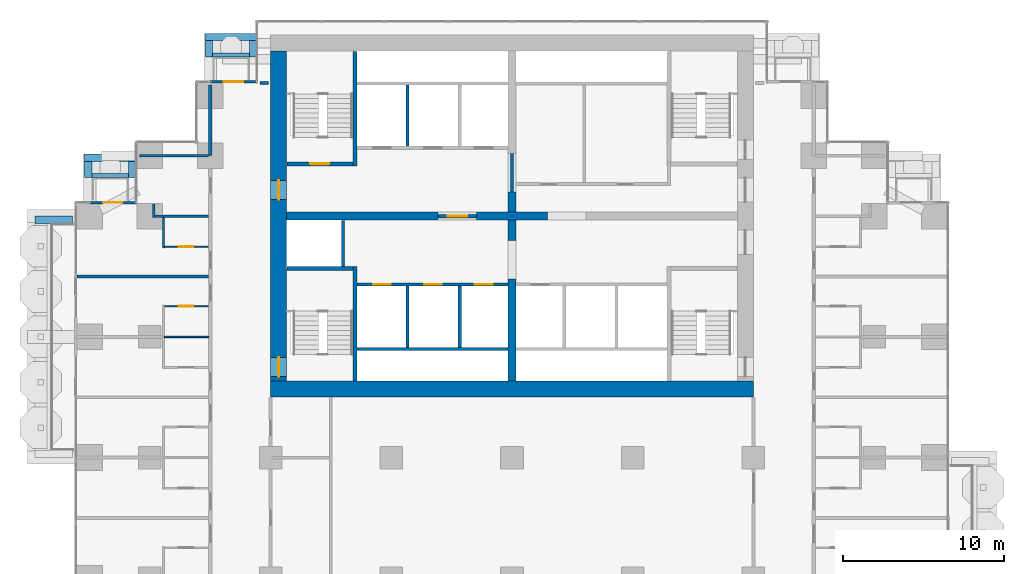
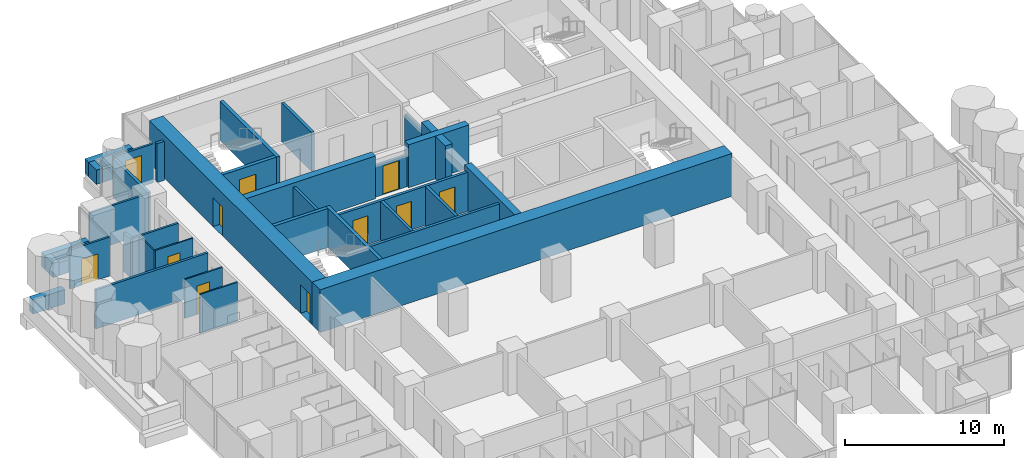
# One storey, part 13 of 18: 40 walls, 11 doors, 11 openings.
"""IFC4 building model written with IfcOpenShell, lengths in metres."""

from ifc_helpers import new_model, si_unit, direction, frame, frame_2d, origin, place, context, subcontext, project, spatial, rectangle, extrude, material, layer, layer_set, type_object, element, fill, save


model = new_model("IFC4")

# Units and contexts
model_context = context("Model", 3, precision=1e-05, world=origin(), true_north=direction((0.0, 1.0)))
body_context = subcontext(model_context, "Body", "Model", "MODEL_VIEW")
ifc_project = project(units=[si_unit("LENGTHUNIT", "METRE"), si_unit("AREAUNIT", "SQUARE_METRE"), si_unit("VOLUMEUNIT", "CUBIC_METRE"), si_unit("PLANEANGLEUNIT", "RADIAN"), si_unit("MASSUNIT", "GRAM", prefix="KILO")], contexts=[model_context])

# Site, building, storey
site_placement = place(None, origin())
site = spatial("IfcSite", under=ifc_project, at=site_placement, CompositionType="ELEMENT")
building_placement = place(site_placement, origin())
building = spatial("IfcBuilding", under=site, at=building_placement, Name="Pilkhan Gate Tower", CompositionType="ELEMENT")
storey_placement = place(building_placement, frame((0.0, 0.0, 42.800048828125)))
storey = spatial("IfcBuildingStorey", under=building, at=storey_placement, Name="L07", CompositionType="ELEMENT", Elevation=42.800048828125)

# Walls
ifc_material_1 = material(Name="Dense blockwork", Category="masonry")
ifc_layer_1 = layer(ifc_material_1, 0.175048828125)
ifc_layer_set_1 = layer_set([ifc_layer_1], Name="Acoustic party wall PW175")
wall_type_1 = type_object("IfcWallType", Name="Acoustic party wall PW175", PredefinedType="PARTITIONING", material=ifc_layer_set_1)
wall_1_placement = place(storey_placement, frame((47.985107421875, 78.75, 0.0), z_axis=(0.0, 0.0, 1.0), x_axis=(1.0, 0.0, 0.0)))
element("IfcWall", 1, at=wall_1_placement, inside=storey, type_object=wall_type_1, Name="Partition L07", PredefinedType="PARTITIONING", context=body_context, shape_type="SweptSolid", body=[
    extrude(rectangle(XDim=8.164794921875, YDim=0.175048828125, at=frame_2d((4.08251953125, 0.0))), origin(), (0.0, 0.0, 1.0), 3.0),
])
ifc_material_2 = material(Name="Concrete C40/50", Category="concrete")
ifc_layer_2 = layer(ifc_material_2, 0.25)
ifc_layer_set_2 = layer_set([ifc_layer_2], Name="Balcony planter BP250")
wall_type_2 = type_object("IfcWallType", Name="Balcony planter BP250", PredefinedType="USERDEFINED", material=ifc_layer_set_2)
wall_2_placement = place(storey_placement, frame((56.39990234375, 92.52490234375, 0.0), z_axis=(0.0, 0.0, 1.0), x_axis=(1.0, 0.0, 0.0)))
element("IfcWall", 2, at=wall_2_placement, inside=storey, type_object=wall_type_2, Name="Balcony planter L07 N", ObjectType="BALCONY PLANTER", PredefinedType="USERDEFINED", context=body_context, shape_type="SweptSolid", body=[
    extrude(rectangle(XDim=2.300048828125, YDim=0.25, at=frame_2d((1.14990234375, 0.0))), origin(), (0.0, 0.0, 1.0), 1.0),
])
wall_3_placement = place(storey_placement, frame((48.89990234375, 85.02490234375, 0.0), z_axis=(0.0, 0.0, 1.0), x_axis=(1.0, 0.0, 0.0)))
element("IfcWall", 3, at=wall_3_placement, inside=storey, type_object=wall_type_2, Name="Balcony planter L07 N", ObjectType="BALCONY PLANTER", PredefinedType="USERDEFINED", context=body_context, shape_type="SweptSolid", body=[
    extrude(rectangle(XDim=2.280029296875, YDim=0.25, at=frame_2d((1.14013671875, 0.0))), origin(), (0.0, 0.0, 1.0), 1.0),
])
ifc_material_3 = material(Name="Board-marked Concrete C40/50", Category="concrete")
ifc_layer_3 = layer(ifc_material_3, 0.449951171875)
ifc_layer_set_3 = layer_set([ifc_layer_3], Name="Balcony planter lip BL450")
wall_type_3 = type_object("IfcWallType", Name="Balcony planter lip BL450", PredefinedType="USERDEFINED", material=ifc_layer_set_3)
wall_4_placement = place(storey_placement, frame((55.949951171875, 93.625, 0.0), z_axis=(0.0, 0.0, 1.0), x_axis=(1.0, 0.0, 0.0)))
element("IfcWall", 4, at=wall_4_placement, inside=storey, type_object=wall_type_3, Name="Balcony planter L07 N", ObjectType="BALCONY PLANTER", PredefinedType="USERDEFINED", context=body_context, shape_type="SweptSolid", body=[
    extrude(rectangle(XDim=3.199951171875, YDim=0.449951171875, at=frame_2d((1.60009765625, 0.0))), origin(), (0.0, 0.0, 1.0), 1.099853515625),
])
for number, where, z_axis, x_axis, name in (
    (5, (56.175048828125, 92.39990234375, 0.0), (0.0, 0.0, 1.0), (0.0, 1.0, 0.0), "Balcony planter L07 N"),
    (6, (58.925048828125, 92.39990234375, 0.0), (0.0, 0.0, 1.0), (0.0, 1.0, 0.0), "Balcony planter L07 N"),
):
    element("IfcWall", number, at=place(storey_placement, frame(where, z_axis=z_axis, x_axis=x_axis)), inside=storey, type_object=wall_type_3, Name=name, ObjectType="BALCONY PLANTER", PredefinedType="USERDEFINED", context=body_context, shape_type="SweptSolid", body=[
        extrude(rectangle(XDim=1.0, YDim=0.449951171875, at=frame_2d((0.5, 0.0))), origin(), (0.0, 0.0, 1.0), 1.099853515625),
    ])
wall_5_placement = place(storey_placement, frame((48.449951171875, 86.125, 0.0), z_axis=(0.0, 0.0, 1.0), x_axis=(1.0, 0.0, 0.0)))
element("IfcWall", 7, at=wall_5_placement, inside=storey, type_object=wall_type_3, Name="Balcony planter L07 N", ObjectType="BALCONY PLANTER", PredefinedType="USERDEFINED", context=body_context, shape_type="SweptSolid", body=[
    extrude(rectangle(XDim=3.179931640625, YDim=0.449951171875, at=frame_2d((1.58984375, 0.0))), origin(), (0.0, 0.0, 1.0), 1.099853515625),
])
for number, where, z_axis, x_axis, name in (
    (8, (48.675048828125, 84.89990234375, 0.0), (0.0, 0.0, 1.0), (0.0, 1.0, 0.0), "Balcony planter L07 N"),
    (9, (51.405029296875, 84.89990234375, 0.0), (0.0, 0.0, 1.0), (0.0, 1.0, 0.0), "Balcony planter L07 N"),
):
    element("IfcWall", number, at=place(storey_placement, frame(where, z_axis=z_axis, x_axis=x_axis)), inside=storey, type_object=wall_type_3, Name=name, ObjectType="BALCONY PLANTER", PredefinedType="USERDEFINED", context=body_context, shape_type="SweptSolid", body=[
        extrude(rectangle(XDim=1.0, YDim=0.449951171875, at=frame_2d((0.5, 0.0))), origin(), (0.0, 0.0, 1.0), 1.099853515625),
    ])
wall_6_placement = place(storey_placement, frame((47.679931640625, 82.27490234375, 0.0), z_axis=(0.0, 0.0, 1.0), x_axis=(-1.0, 0.0, 0.0)))
element("IfcWall", 10, at=wall_6_placement, inside=storey, type_object=wall_type_3, Name="Balcony planter L07 W", ObjectType="BALCONY PLANTER", PredefinedType="USERDEFINED", context=body_context, shape_type="SweptSolid", body=[
    extrude(rectangle(XDim=2.329833984375, YDim=0.449951171875, at=frame_2d((1.1650390625, 0.0))), origin(), (0.0, 0.0, 1.0), 1.099853515625),
])
ifc_material_4 = material(Name="Concrete C70/85", Category="concrete")
ifc_layer_4 = layer(ifc_material_4, 1.0)
ifc_layer_set_4 = layer_set([ifc_layer_4], Name="Core wall CW1000 C70/85")
wall_type_4 = type_object("IfcWallType", Name="Core wall CW1000 C70/85", PredefinedType="SHEAR", material=ifc_layer_set_4)
wall_7_placement = place(storey_placement, frame((60.0, 71.75, 0.0), z_axis=(0.0, 0.0, 1.0), x_axis=(1.0, 0.0, 0.0)))
element("IfcWall", 11, at=wall_7_placement, inside=storey, type_object=wall_type_4, Name="Core wall S L07", PredefinedType="SHEAR", context=body_context, shape_type="SweptSolid", body=[
    extrude(rectangle(XDim=30.0, YDim=1.0, at=frame_2d((15.0, 0.0))), origin(), (0.0, 0.0, 1.0), 3.300048828125),
])

# Wall, openings, doors
wall_8_placement = place(storey_placement, frame((60.5, 92.75, 0.0), z_axis=(0.0, 0.0, 1.0), x_axis=(0.0, -1.0, 0.0)))
wall_8 = element("IfcWall", 12, at=wall_8_placement, inside=storey, type_object=wall_type_4, Name="Core wall W L07", PredefinedType="SHEAR", context=body_context, shape_type="SweptSolid", body=[
    extrude(rectangle(XDim=20.5, YDim=1.0, at=frame_2d((10.25, 0.0))), origin(), (0.0, 0.0, 1.0), 3.300048828125),
])
opening_1_placement = place(wall_8_placement, frame((19.02490234375, 0.0, 0.0)))
opening_1 = element("IfcOpeningElement", 13, at=opening_1_placement, cuts=wall_8, Name="Opening L07-04", PredefinedType="OPENING", context=body_context, shape_type="SweptSolid", body=[
    extrude(rectangle(XDim=1.199951171875, YDim=2.199951171875, at=frame_2d((0.60009765625, 1.10009765625))), frame((0.0, 0.510009765625, 0.0), z_axis=(0.0, -1.0, 0.0), x_axis=(1.0, 0.0, 0.0)), (0.0, 0.0, 1.0), 1.02001953125),
])
opening_2_placement = place(wall_8_placement, frame((8.02490234375, 0.0, 0.0)))
opening_2 = element("IfcOpeningElement", 14, at=opening_2_placement, cuts=wall_8, Name="Opening L07-59", PredefinedType="OPENING", context=body_context, shape_type="SweptSolid", body=[
    extrude(rectangle(XDim=1.199951171875, YDim=2.199951171875, at=frame_2d((0.60009765625, 1.10009765625))), frame((0.0, 0.510009765625, 0.0), z_axis=(0.0, -1.0, 0.0), x_axis=(1.0, 0.0, 0.0)), (0.0, 0.0, 1.0), 1.02001953125),
])
ifc_material_5 = material(Name="Steel door, 120 minute fire resisting, self-closing", Category="steel")
door_type_1 = type_object("IfcDoorType", Name="Firefighting lobby door D10 1200x2200", OperationType="SINGLE_SWING_LEFT", PredefinedType="DOOR", material=ifc_material_5)
door_1_placement = place(opening_2_placement, origin())
door_1 = element("IfcDoor", 15, at=door_1_placement, inside=storey, type_object=door_type_1, Name="Core door", OperationType="SINGLE_SWING_LEFT", OverallHeight=2.199951171875, OverallWidth=1.199951171875, PredefinedType="DOOR", context=body_context, shape_type="SweptSolid", body=[
    extrude(rectangle(XDim=1.199951171875, YDim=2.199951171875, at=frame_2d((0.60009765625, 1.10009765625))), frame((0.0, 0.02490234375, 0.0), z_axis=(0.0, -1.0, 0.0), x_axis=(1.0, 0.0, 0.0)), (0.0, 0.0, 1.0), 0.050048828125),
])
fill(opening_2, door_1)
ifc_material_6 = material(Name="Steel door, 120 minute fire resisting, panic bar", Category="steel")
door_type_2 = type_object("IfcDoorType", Name="Stair door D11 1200x2200", OperationType="SINGLE_SWING_LEFT", PredefinedType="DOOR", material=ifc_material_6)
door_2_placement = place(opening_1_placement, origin())
door_2 = element("IfcDoor", 16, at=door_2_placement, inside=storey, type_object=door_type_2, Name="Stair ST2 door", OperationType="SINGLE_SWING_LEFT", OverallHeight=2.199951171875, OverallWidth=1.199951171875, PredefinedType="DOOR", context=body_context, shape_type="SweptSolid", body=[
    extrude(rectangle(XDim=1.199951171875, YDim=2.199951171875, at=frame_2d((0.60009765625, 1.10009765625))), frame((0.0, 0.02490234375, 0.0), z_axis=(0.0, -1.0, 0.0), x_axis=(1.0, 0.0, 0.0)), (0.0, 0.0, 1.0), 0.050048828125),
])
fill(opening_1, door_2)

# Walls
ifc_layer_5 = layer(ifc_material_1, 0.199951171875)
ifc_layer_set_5 = layer_set([ifc_layer_5], Name="Corridor wall FW200")
wall_type_5 = type_object("IfcWallType", Name="Corridor wall FW200", PredefinedType="PARTITIONING", material=ifc_layer_set_5)
wall_9_placement = place(storey_placement, frame((59.35498046875, 90.764892578125, 0.0), z_axis=(0.0, 0.0, 1.0), x_axis=(1.0, 0.0, 0.0)))
element("IfcWall", 17, at=wall_9_placement, inside=storey, type_object=wall_type_5, Name="Partition L07", PredefinedType="PARTITIONING", context=body_context, shape_type="SweptSolid", body=[
    extrude(rectangle(XDim=0.52490234375, YDim=0.199951171875, at=frame_2d((0.262451171875, 0.0))), origin(), (0.0, 0.0, 1.0), 3.0),
])
wall_10_placement = place(storey_placement, frame((56.25, 86.280029296875, 0.0), z_axis=(0.0, 0.0, 1.0), x_axis=(0.0, 1.0, 0.0)))
element("IfcWall", 18, at=wall_10_placement, inside=storey, type_object=wall_type_5, Name="Partition L07", PredefinedType="PARTITIONING", context=body_context, shape_type="SweptSolid", body=[
    extrude(rectangle(XDim=4.364990234375, YDim=0.199951171875, at=frame_2d((2.1826171875, 0.0))), origin(), (0.0, 0.0, 1.0), 3.0),
])

# Wall, opening, door
ifc_material_7 = material(Name="Pale anodised aluminium, clear laminated glazing", Category="aluminium")
ifc_layer_6 = layer(ifc_material_7, 0.14990234375)
ifc_layer_set_6 = layer_set([ifc_layer_6], Name="Facade infill wall IW150")
wall_type_6 = type_object("IfcWallType", Name="Facade infill wall IW150", PredefinedType="SOLIDWALL", material=ifc_layer_set_6)
wall_11_placement = place(storey_placement, frame((56.25, 90.844970703125, 0.0), z_axis=(0.0, 0.0, 1.0), x_axis=(1.0, 0.0, 0.0)))
wall_11 = element("IfcWall", 19, at=wall_11_placement, inside=storey, type_object=wall_type_6, Name="Infill wall L07 N", PredefinedType="SOLIDWALL", context=body_context, shape_type="SweptSolid", body=[
    extrude(rectangle(XDim=2.905029296875, YDim=0.14990234375, at=frame_2d((1.45263671875, 0.0))), origin(), (0.0, 0.0, 1.0), 3.0),
])
opening_3_placement = place(wall_11_placement, frame((0.8525390625, 0.0, 0.0)))
opening_3 = element("IfcOpeningElement", 20, at=opening_3_placement, cuts=wall_11, Name="Opening D1", PredefinedType="OPENING", context=body_context, shape_type="SweptSolid", body=[
    extrude(rectangle(XDim=1.199951171875, YDim=2.39990234375, at=frame_2d((0.60009765625, 1.199951171875))), frame((0.0, 0.0849609375, 0.0), z_axis=(0.0, -1.0, 0.0), x_axis=(1.0, 0.0, 0.0)), (0.0, 0.0, 1.0), 0.169921875),
])
ifc_material_8 = material(Name="Pale anodised aluminium, clear glazing", Category="aluminium")
door_type_3 = type_object("IfcDoorType", Name="Balcony door D1 1200x2400", OperationType="SINGLE_SWING_LEFT", PredefinedType="DOOR", material=ifc_material_8)
door_3_placement = place(opening_3_placement, origin())
door_3 = element("IfcDoor", 21, at=door_3_placement, inside=storey, type_object=door_type_3, Name="Balcony door L07", OperationType="SINGLE_SWING_LEFT", OverallHeight=2.39990234375, OverallWidth=1.199951171875, PredefinedType="DOOR", context=body_context, shape_type="SweptSolid", body=[
    extrude(rectangle(XDim=1.199951171875, YDim=2.39990234375, at=frame_2d((0.60009765625, 1.199951171875))), frame((0.0, 0.02490234375, 0.0), z_axis=(0.0, -1.0, 0.0), x_axis=(1.0, 0.0, 0.0)), (0.0, 0.0, 1.0), 0.050048828125),
])
fill(opening_3, door_3)

wall_12_placement = place(storey_placement, frame((48.75, 83.344970703125, 0.0), z_axis=(0.0, 0.0, 1.0), x_axis=(1.0, 0.0, 0.0)))
wall_12 = element("IfcWall", 22, at=wall_12_placement, inside=storey, type_object=wall_type_6, Name="Infill wall L07 N", PredefinedType="SOLIDWALL", context=body_context, shape_type="SweptSolid", body=[
    extrude(rectangle(XDim=2.905029296875, YDim=0.14990234375, at=frame_2d((1.45263671875, 0.0))), origin(), (0.0, 0.0, 1.0), 3.0),
])
opening_4_placement = place(wall_12_placement, frame((0.8525390625, 0.0, 0.0)))
opening_4 = element("IfcOpeningElement", 23, at=opening_4_placement, cuts=wall_12, Name="Opening D1L", PredefinedType="OPENING", context=body_context, shape_type="SweptSolid", body=[
    extrude(rectangle(XDim=1.199951171875, YDim=2.0, at=frame_2d((0.60009765625, 1.0))), frame((0.0, 0.0849609375, 0.0), z_axis=(0.0, -1.0, 0.0), x_axis=(1.0, 0.0, 0.0)), (0.0, 0.0, 1.0), 0.169921875),
])
door_type_4 = type_object("IfcDoorType", Name="Balcony door D1L 1200x2000", OperationType="SINGLE_SWING_LEFT", PredefinedType="DOOR", material=ifc_material_8)
door_4_placement = place(opening_4_placement, origin())
door_4 = element("IfcDoor", 24, at=door_4_placement, inside=storey, type_object=door_type_4, Name="Balcony door L07", OperationType="SINGLE_SWING_LEFT", OverallHeight=2.0, OverallWidth=1.199951171875, PredefinedType="DOOR", context=body_context, shape_type="SweptSolid", body=[
    extrude(rectangle(XDim=1.199951171875, YDim=2.0, at=frame_2d((0.60009765625, 1.0))), frame((0.0, 0.02490234375, 0.0), z_axis=(0.0, -1.0, 0.0), x_axis=(1.0, 0.0, 0.0)), (0.0, 0.0, 1.0), 0.050048828125),
])
fill(opening_4, door_4)

ifc_layer_7 = layer(ifc_material_1, 0.199951171875)
ifc_layer_set_7 = layer_set([ifc_layer_7], Name="Lobby wall LW200")
wall_type_7 = type_object("IfcWallType", Name="Lobby wall LW200", PredefinedType="PARTITIONING", material=ifc_layer_set_7)
wall_13_placement = place(storey_placement, frame((70.409912109375, 82.5, 0.0), z_axis=(0.0, 0.0, 1.0), x_axis=(1.0, 0.0, 0.0)))
wall_13 = element("IfcWall", 25, at=wall_13_placement, inside=storey, type_object=wall_type_7, Name="Partition L07", PredefinedType="PARTITIONING", context=body_context, shape_type="SweptSolid", body=[
    extrude(rectangle(XDim=2.380126953125, YDim=0.199951171875, at=frame_2d((1.18994140625, 0.0))), origin(), (0.0, 0.0, 1.0), 2.39990234375),
])
opening_5_placement = place(wall_13_placement, frame((0.60009765625, 0.0, 0.0)))
opening_5 = element("IfcOpeningElement", 26, at=opening_5_placement, cuts=wall_13, Name="Opening L07-01", PredefinedType="OPENING", context=body_context, shape_type="SweptSolid", body=[
    extrude(rectangle(XDim=1.199951171875, YDim=2.199951171875, at=frame_2d((0.60009765625, 1.10009765625))), frame((0.0, 0.10986328125, 0.0), z_axis=(0.0, -1.0, 0.0), x_axis=(1.0, 0.0, 0.0)), (0.0, 0.0, 1.0), 0.219970703125),
])
door_5_placement = place(opening_5_placement, origin())
door_5 = element("IfcDoor", 27, at=door_5_placement, inside=storey, type_object=door_type_1, Name="Firefighting lobby door", OperationType="SINGLE_SWING_RIGHT", OverallHeight=2.199951171875, OverallWidth=1.199951171875, PredefinedType="DOOR", context=body_context, shape_type="SweptSolid", body=[
    extrude(rectangle(XDim=1.199951171875, YDim=2.199951171875, at=frame_2d((0.60009765625, 1.10009765625))), frame((0.0, 0.02490234375, 0.0), z_axis=(0.0, -1.0, 0.0), x_axis=(1.0, 0.0, 0.0)), (0.0, 0.0, 1.0), 0.050048828125),
])
fill(opening_5, door_5)

# Walls
wall_14_placement = place(storey_placement, frame((75.0, 84.010009765625, 0.0), z_axis=(0.0, 0.0, 1.0), x_axis=(0.0, 1.0, 0.0)))
element("IfcWall", 28, at=wall_14_placement, inside=storey, type_object=wall_type_7, Name="Partition L07", PredefinedType="PARTITIONING", context=body_context, shape_type="SweptSolid", body=[
    extrude(rectangle(XDim=2.3798828125, YDim=0.199951171875, at=frame_2d((1.18994140625, 0.0))), origin(), (0.0, 0.0, 1.0), 2.39990234375),
])
ifc_material_9 = material(Name="Blockwork partition, plastered both sides", Category="masonry")
ifc_layer_8 = layer(ifc_material_9, 0.14990234375)
ifc_layer_set_8 = layer_set([ifc_layer_8], Name="Partition PW150")
wall_type_8 = type_object("IfcWallType", Name="Partition PW150", PredefinedType="PARTITIONING", material=ifc_layer_set_8)
wall_15_placement = place(storey_placement, frame((52.81005859375, 82.5, 0.0), z_axis=(0.0, 0.0, 1.0), x_axis=(1.0, 0.0, 0.0)))
element("IfcWall", 29, at=wall_15_placement, inside=storey, type_object=wall_type_8, Name="Partition L07", PredefinedType="PARTITIONING", context=body_context, shape_type="SweptSolid", body=[
    extrude(rectangle(XDim=3.33984375, YDim=0.14990234375, at=frame_2d((1.669921875, 0.0))), origin(), (0.0, 0.0, 1.0), 3.0),
])
wall_16_placement = place(storey_placement, frame((51.85498046875, 86.25, 0.0), z_axis=(0.0, 0.0, 1.0), x_axis=(1.0, 0.0, 0.0)))
element("IfcWall", 30, at=wall_16_placement, inside=storey, type_object=wall_type_8, Name="Partition L07", PredefinedType="PARTITIONING", context=body_context, shape_type="SweptSolid", body=[
    extrude(rectangle(XDim=4.294921875, YDim=0.14990234375, at=frame_2d((2.1474609375, 0.0))), origin(), (0.0, 0.0, 1.0), 3.0),
])
wall_17_placement = place(storey_placement, frame((52.735107421875, 82.425048828125, 0.0), z_axis=(0.0, 0.0, 1.0), x_axis=(0.0, 1.0, 0.0)))
element("IfcWall", 31, at=wall_17_placement, inside=storey, type_object=wall_type_8, Name="Partition L07", PredefinedType="PARTITIONING", context=body_context, shape_type="SweptSolid", body=[
    extrude(rectangle(XDim=0.83984375, YDim=0.14990234375, at=frame_2d((0.419921875, 0.0))), origin(), (0.0, 0.0, 1.0), 3.0),
])
ifc_material_10 = material(Name="Reinforced blockwork shaft wall, 120 minute fire resisting", Category="masonry")
ifc_layer_9 = layer(ifc_material_10, 0.199951171875)
ifc_layer_set_9 = layer_set([ifc_layer_9], Name="Shaft wall SW200")
wall_type_9 = type_object("IfcWallType", Name="Shaft wall SW200", PredefinedType="PARTITIONING", material=ifc_layer_set_9)
wall_18_placement = place(storey_placement, frame((65.375, 74.25, 0.0), z_axis=(0.0, 0.0, 1.0), x_axis=(1.0, 0.0, 0.0)))
element("IfcWall", 32, at=wall_18_placement, inside=storey, type_object=wall_type_9, Name="Partition L07", PredefinedType="PARTITIONING", context=body_context, shape_type="SweptSolid", body=[
    extrude(rectangle(XDim=9.364990234375, YDim=0.199951171875, at=frame_2d((4.6826171875, 0.0))), origin(), (0.0, 0.0, 1.0), 3.0),
])

# Wall, openings, doors
wall_19_placement = place(storey_placement, frame((65.375, 78.25, 0.0), z_axis=(0.0, 0.0, 1.0), x_axis=(1.0, 0.0, 0.0)))
wall_19 = element("IfcWall", 33, at=wall_19_placement, inside=storey, type_object=wall_type_9, Name="Partition L07", PredefinedType="PARTITIONING", context=body_context, shape_type="SweptSolid", body=[
    extrude(rectangle(XDim=9.364990234375, YDim=0.199951171875, at=frame_2d((4.6826171875, 0.0))), origin(), (0.0, 0.0, 1.0), 3.0),
])
opening_6_placement = place(wall_19_placement, frame((1.0, 0.0, 0.0)))
opening_6 = element("IfcOpeningElement", 34, at=opening_6_placement, cuts=wall_19, Name="Opening LD", PredefinedType="OPENING", context=body_context, shape_type="SweptSolid", body=[
    extrude(rectangle(XDim=1.10009765625, YDim=2.199951171875, at=frame_2d((0.550048828125, 1.10009765625))), frame((0.0, 0.10986328125, 0.0), z_axis=(0.0, -1.0, 0.0), x_axis=(1.0, 0.0, 0.0)), (0.0, 0.0, 1.0), 0.219970703125),
])
opening_7_placement = place(wall_19_placement, frame((4.175048828125, 0.0, 0.0)))
opening_7 = element("IfcOpeningElement", 35, at=opening_7_placement, cuts=wall_19, Name="Opening LD", PredefinedType="OPENING", context=body_context, shape_type="SweptSolid", body=[
    extrude(rectangle(XDim=1.10009765625, YDim=2.199951171875, at=frame_2d((0.550048828125, 1.10009765625))), frame((0.0, 0.10986328125, 0.0), z_axis=(0.0, -1.0, 0.0), x_axis=(1.0, 0.0, 0.0)), (0.0, 0.0, 1.0), 0.219970703125),
])
opening_8_placement = place(wall_19_placement, frame((7.324951171875, 0.0, 0.0)))
opening_8 = element("IfcOpeningElement", 36, at=opening_8_placement, cuts=wall_19, Name="Opening LD", PredefinedType="OPENING", context=body_context, shape_type="SweptSolid", body=[
    extrude(rectangle(XDim=1.10009765625, YDim=2.199951171875, at=frame_2d((0.550048828125, 1.10009765625))), frame((0.0, 0.10986328125, 0.0), z_axis=(0.0, -1.0, 0.0), x_axis=(1.0, 0.0, 0.0)), (0.0, 0.0, 1.0), 0.219970703125),
])
ifc_material_11 = material(Name="Stainless steel centre-opening landing door, 120 minute fire resisting", Category="steel")
door_type_5 = type_object("IfcDoorType", Name="Lift landing door LD 1100x2200", OperationType="DOUBLE_DOOR_SLIDING", PredefinedType="DOOR", material=ifc_material_11)
door_6_placement = place(opening_6_placement, origin())
door_6 = element("IfcDoor", 37, at=door_6_placement, inside=storey, type_object=door_type_5, Name="Landing door LR1", OperationType="DOUBLE_DOOR_SLIDING", OverallHeight=2.199951171875, OverallWidth=1.10009765625, PredefinedType="DOOR", context=body_context, shape_type="SweptSolid", body=[
    extrude(rectangle(XDim=1.10009765625, YDim=2.199951171875, at=frame_2d((0.550048828125, 1.10009765625))), frame((0.0, 0.02490234375, 0.0), z_axis=(0.0, -1.0, 0.0), x_axis=(1.0, 0.0, 0.0)), (0.0, 0.0, 1.0), 0.050048828125),
])
fill(opening_6, door_6)
door_7_placement = place(opening_7_placement, origin())
door_7 = element("IfcDoor", 38, at=door_7_placement, inside=storey, type_object=door_type_5, Name="Landing door LR2", OperationType="DOUBLE_DOOR_SLIDING", OverallHeight=2.199951171875, OverallWidth=1.10009765625, PredefinedType="DOOR", context=body_context, shape_type="SweptSolid", body=[
    extrude(rectangle(XDim=1.10009765625, YDim=2.199951171875, at=frame_2d((0.550048828125, 1.10009765625))), frame((0.0, 0.02490234375, 0.0), z_axis=(0.0, -1.0, 0.0), x_axis=(1.0, 0.0, 0.0)), (0.0, 0.0, 1.0), 0.050048828125),
])
fill(opening_7, door_7)
door_8_placement = place(opening_8_placement, origin())
door_8 = element("IfcDoor", 39, at=door_8_placement, inside=storey, type_object=door_type_5, Name="Landing door LR3", OperationType="DOUBLE_DOOR_SLIDING", OverallHeight=2.199951171875, OverallWidth=1.10009765625, PredefinedType="DOOR", context=body_context, shape_type="SweptSolid", body=[
    extrude(rectangle(XDim=1.10009765625, YDim=2.199951171875, at=frame_2d((0.550048828125, 1.10009765625))), frame((0.0, 0.02490234375, 0.0), z_axis=(0.0, -1.0, 0.0), x_axis=(1.0, 0.0, 0.0)), (0.0, 0.0, 1.0), 0.050048828125),
])
fill(opening_8, door_8)

# Walls
wall_20_placement = place(storey_placement, frame((64.5, 79.375, 0.0), z_axis=(0.0, 0.0, 1.0), x_axis=(0.0, 1.0, 0.0)))
element("IfcWall", 40, at=wall_20_placement, inside=storey, type_object=wall_type_9, Name="Partition L07", PredefinedType="PARTITIONING", context=body_context, shape_type="SweptSolid", body=[
    extrude(rectangle(XDim=2.864990234375, YDim=0.199951171875, at=frame_2d((1.4326171875, 0.0))), origin(), (0.0, 0.0, 1.0), 3.0),
])
for number, where, z_axis, x_axis, name in (
    (41, (68.5, 74.35009765625, 0.0), (0.0, 0.0, 1.0), (0.0, 1.0, 0.0), "Partition L07"),
    (42, (68.5, 86.85009765625, 0.0), (0.0, 0.0, 1.0), (0.0, 1.0, 0.0), "Partition L07"),
    (43, (71.75, 74.35009765625, 0.0), (0.0, 0.0, 1.0), (0.0, 1.0, 0.0), "Partition L07"),
):
    element("IfcWall", number, at=place(storey_placement, frame(where, z_axis=z_axis, x_axis=x_axis)), inside=storey, type_object=wall_type_9, Name=name, PredefinedType="PARTITIONING", context=body_context, shape_type="SweptSolid", body=[
        extrude(rectangle(XDim=3.7998046875, YDim=0.199951171875, at=frame_2d((1.89990234375, 0.0))), origin(), (0.0, 0.0, 1.0), 3.0),
    ])
ifc_layer_10 = layer(ifc_material_4, 0.5)
ifc_layer_set_10 = layer_set([ifc_layer_10], Name="Spine wall SW500 C70/85")
wall_type_10 = type_object("IfcWallType", Name="Spine wall SW500 C70/85", PredefinedType="SHEAR", material=ifc_layer_set_10)
wall_21_placement = place(storey_placement, frame((61.0, 82.5, 0.0), z_axis=(0.0, 0.0, 1.0), x_axis=(1.0, 0.0, 0.0)))
element("IfcWall", 44, at=wall_21_placement, inside=storey, type_object=wall_type_10, Name="Spine wall SP-EW1 L07", PredefinedType="SHEAR", context=body_context, shape_type="SweptSolid", body=[
    extrude(rectangle(XDim=9.39990234375, YDim=0.5, at=frame_2d((4.699951171875, 0.0))), origin(), (0.0, 0.0, 1.0), 3.300048828125),
])
wall_22_placement = place(storey_placement, frame((72.800048828125, 82.5, 0.0), z_axis=(0.0, 0.0, 1.0), x_axis=(1.0, 0.0, 0.0)))
element("IfcWall", 45, at=wall_22_placement, inside=storey, type_object=wall_type_10, Name="Spine wall SP-EW2 L07", PredefinedType="SHEAR", context=body_context, shape_type="SweptSolid", body=[
    extrude(rectangle(XDim=4.39990234375, YDim=0.5, at=frame_2d((2.199951171875, 0.0))), origin(), (0.0, 0.0, 1.0), 3.300048828125),
])
wall_23_placement = place(storey_placement, frame((75.0, 72.25, 0.0), z_axis=(0.0, 0.0, 1.0), x_axis=(0.0, 1.0, 0.0)))
element("IfcWall", 46, at=wall_23_placement, inside=storey, type_object=wall_type_10, Name="Spine wall SP-NS-S1 L07", PredefinedType="SHEAR", context=body_context, shape_type="SweptSolid", body=[
    extrude(rectangle(XDim=6.35009765625, YDim=0.5, at=frame_2d((3.175048828125, 0.0))), origin(), (0.0, 0.0, 1.0), 3.300048828125),
])
for number, where, z_axis, x_axis, name in (
    (47, (75.0, 81.0, 0.0), (0.0, 0.0, 1.0), (0.0, 1.0, 0.0), "Spine wall SP-NS-S2 L07"),
    (48, (75.0, 82.75, 0.0), (0.0, 0.0, 1.0), (0.0, 1.0, 0.0), "Spine wall SP-NS-N1 L07"),
):
    element("IfcWall", number, at=place(storey_placement, frame(where, z_axis=z_axis, x_axis=x_axis)), inside=storey, type_object=wall_type_10, Name=name, PredefinedType="SHEAR", context=body_context, shape_type="SweptSolid", body=[
        extrude(rectangle(XDim=1.25, YDim=0.5, at=frame_2d((0.625, 0.0))), origin(), (0.0, 0.0, 1.0), 3.300048828125),
    ])
ifc_material_12 = material(Name="Reinforced blockwork, 120 minute fire resisting", Category="masonry")
ifc_layer_11 = layer(ifc_material_12, 0.25)
ifc_layer_set_11 = layer_set([ifc_layer_11], Name="Stair enclosure wall SE250")
wall_type_11 = type_object("IfcWallType", Name="Stair enclosure wall SE250", PredefinedType="PARTITIONING", material=ifc_layer_set_11)
wall_24_placement = place(storey_placement, frame((61.010009765625, 79.25, 0.0), z_axis=(0.0, 0.0, 1.0), x_axis=(1.0, 0.0, 0.0)))
element("IfcWall", 49, at=wall_24_placement, inside=storey, type_object=wall_type_11, Name="Partition L07", PredefinedType="PARTITIONING", context=body_context, shape_type="SweptSolid", body=[
    extrude(rectangle(XDim=4.114990234375, YDim=0.25, at=frame_2d((2.0576171875, 0.0))), origin(), (0.0, 0.0, 1.0), 3.0),
])

# Wall, opening, door
wall_25_placement = place(storey_placement, frame((61.010009765625, 85.75, 0.0), z_axis=(0.0, 0.0, 1.0), x_axis=(1.0, 0.0, 0.0)))
wall_25 = element("IfcWall", 50, at=wall_25_placement, inside=storey, type_object=wall_type_11, Name="Partition L07", PredefinedType="PARTITIONING", context=body_context, shape_type="SweptSolid", body=[
    extrude(rectangle(XDim=4.114990234375, YDim=0.25, at=frame_2d((2.0576171875, 0.0))), origin(), (0.0, 0.0, 1.0), 3.0),
])
opening_9_placement = place(wall_25_placement, frame((1.449951171875, 0.0, 0.0)))
opening_9 = element("IfcOpeningElement", 51, at=opening_9_placement, cuts=wall_25, Name="Opening L07-02", PredefinedType="OPENING", context=body_context, shape_type="SweptSolid", body=[
    extrude(rectangle(XDim=1.199951171875, YDim=2.199951171875, at=frame_2d((0.60009765625, 1.10009765625))), frame((0.0, 0.135009765625, 0.0), z_axis=(0.0, -1.0, 0.0), x_axis=(1.0, 0.0, 0.0)), (0.0, 0.0, 1.0), 0.27001953125),
])
door_9_placement = place(opening_9_placement, origin())
door_9 = element("IfcDoor", 52, at=door_9_placement, inside=storey, type_object=door_type_2, Name="Stair ST3 lobby door", OperationType="SINGLE_SWING_LEFT", OverallHeight=2.199951171875, OverallWidth=1.199951171875, PredefinedType="DOOR", context=body_context, shape_type="SweptSolid", body=[
    extrude(rectangle(XDim=1.199951171875, YDim=2.199951171875, at=frame_2d((0.60009765625, 1.10009765625))), frame((0.0, 0.02490234375, 0.0), z_axis=(0.0, -1.0, 0.0), x_axis=(1.0, 0.0, 0.0)), (0.0, 0.0, 1.0), 0.050048828125),
])
fill(opening_9, door_9)

# Walls
for number, where, z_axis, x_axis, name in (
    (53, (65.25, 72.260009765625, 0.0), (0.0, 0.0, 1.0), (0.0, 1.0, 0.0), "Partition L07"),
    (54, (65.25, 85.625, 0.0), (0.0, 0.0, 1.0), (0.0, 1.0, 0.0), "Partition L07"),
):
    element("IfcWall", number, at=place(storey_placement, frame(where, z_axis=z_axis, x_axis=x_axis)), inside=storey, type_object=wall_type_11, Name=name, PredefinedType="PARTITIONING", context=body_context, shape_type="SweptSolid", body=[
        extrude(rectangle(XDim=7.114990234375, YDim=0.25, at=frame_2d((3.5576171875, 0.0))), origin(), (0.0, 0.0, 1.0), 3.0),
    ])
ifc_material_13 = material(Name="Moisture resistant board, tiled")
ifc_layer_12 = layer(ifc_material_13, 0.10009765625)
ifc_layer_set_12 = layer_set([ifc_layer_12], Name="Wet wall PW100")
wall_type_12 = type_object("IfcWallType", Name="Wet wall PW100", PredefinedType="PARTITIONING", material=ifc_layer_set_12)
wall_26_placement = place(storey_placement, frame((53.39990234375, 75.0, 0.0), z_axis=(0.0, 0.0, 1.0), x_axis=(1.0, 0.0, 0.0)))
element("IfcWall", 55, at=wall_26_placement, inside=storey, type_object=wall_type_12, Name="Partition L07", PredefinedType="PARTITIONING", context=body_context, shape_type="SweptSolid", body=[
    extrude(rectangle(XDim=2.75, YDim=0.10009765625, at=frame_2d((1.375, 0.0))), origin(), (0.0, 0.0, 1.0), 3.0),
])

# Wall, opening, door
wall_27_placement = place(storey_placement, frame((53.39990234375, 76.89990234375, 0.0), z_axis=(0.0, 0.0, 1.0), x_axis=(1.0, 0.0, 0.0)))
wall_27 = element("IfcWall", 56, at=wall_27_placement, inside=storey, type_object=wall_type_12, Name="Partition L07", PredefinedType="PARTITIONING", context=body_context, shape_type="SweptSolid", body=[
    extrude(rectangle(XDim=2.75, YDim=0.10009765625, at=frame_2d((1.375, 0.0))), origin(), (0.0, 0.0, 1.0), 3.0),
])
opening_10_placement = place(wall_27_placement, frame((0.89990234375, 0.0, 0.0)))
opening_10 = element("IfcOpeningElement", 57, at=opening_10_placement, cuts=wall_27, Name="Opening L07-39", PredefinedType="OPENING", context=body_context, shape_type="SweptSolid", body=[
    extrude(rectangle(XDim=0.89990234375, YDim=2.199951171875, at=frame_2d((0.449951171875, 1.10009765625))), frame((0.0, 0.06005859375, 0.0), z_axis=(0.0, -1.0, 0.0), x_axis=(1.0, 0.0, 0.0)), (0.0, 0.0, 1.0), 0.1201171875),
])
ifc_material_14 = material(Name="Timber flush door", Category="wood")
door_type_6 = type_object("IfcDoorType", Name="Bathroom door D02 900x2200", OperationType="SINGLE_SWING_RIGHT", PredefinedType="DOOR", material=ifc_material_14)
door_10_placement = place(opening_10_placement, origin())
door_10 = element("IfcDoor", 58, at=door_10_placement, inside=storey, type_object=door_type_6, Name="Bathroom door", OperationType="SINGLE_SWING_RIGHT", OverallHeight=2.199951171875, OverallWidth=0.89990234375, PredefinedType="DOOR", context=body_context, shape_type="SweptSolid", body=[
    extrude(rectangle(XDim=0.89990234375, YDim=2.199951171875, at=frame_2d((0.449951171875, 1.10009765625))), frame((0.0, 0.02490234375, 0.0), z_axis=(0.0, -1.0, 0.0), x_axis=(1.0, 0.0, 0.0)), (0.0, 0.0, 1.0), 0.050048828125),
])
fill(opening_10, door_10)

wall_28_placement = place(storey_placement, frame((53.39990234375, 80.60009765625, 0.0), z_axis=(0.0, 0.0, 1.0), x_axis=(1.0, 0.0, 0.0)))
wall_28 = element("IfcWall", 59, at=wall_28_placement, inside=storey, type_object=wall_type_12, Name="Partition L07", PredefinedType="PARTITIONING", context=body_context, shape_type="SweptSolid", body=[
    extrude(rectangle(XDim=2.75, YDim=0.10009765625, at=frame_2d((1.375, 0.0))), origin(), (0.0, 0.0, 1.0), 3.0),
])
opening_11_placement = place(wall_28_placement, frame((0.89990234375, 0.0, 0.0)))
opening_11 = element("IfcOpeningElement", 60, at=opening_11_placement, cuts=wall_28, Name="Opening L07-41", PredefinedType="OPENING", context=body_context, shape_type="SweptSolid", body=[
    extrude(rectangle(XDim=0.89990234375, YDim=2.199951171875, at=frame_2d((0.449951171875, 1.10009765625))), frame((0.0, 0.06005859375, 0.0), z_axis=(0.0, -1.0, 0.0), x_axis=(1.0, 0.0, 0.0)), (0.0, 0.0, 1.0), 0.1201171875),
])
door_11_placement = place(opening_11_placement, origin())
door_11 = element("IfcDoor", 61, at=door_11_placement, inside=storey, type_object=door_type_6, Name="Bathroom door", OperationType="SINGLE_SWING_RIGHT", OverallHeight=2.199951171875, OverallWidth=0.89990234375, PredefinedType="DOOR", context=body_context, shape_type="SweptSolid", body=[
    extrude(rectangle(XDim=0.89990234375, YDim=2.199951171875, at=frame_2d((0.449951171875, 1.10009765625))), frame((0.0, 0.02490234375, 0.0), z_axis=(0.0, -1.0, 0.0), x_axis=(1.0, 0.0, 0.0)), (0.0, 0.0, 1.0), 0.050048828125),
])
fill(opening_11, door_11)

# Wall
wall_29_placement = place(storey_placement, frame((53.35009765625, 80.550048828125, 0.0), z_axis=(0.0, 0.0, 1.0), x_axis=(0.0, 1.0, 0.0)))
element("IfcWall", 62, at=wall_29_placement, inside=storey, type_object=wall_type_12, Name="Partition L07", PredefinedType="PARTITIONING", context=body_context, shape_type="SweptSolid", body=[
    extrude(rectangle(XDim=1.875, YDim=0.10009765625, at=frame_2d((0.9375, 0.0))), origin(), (0.0, 0.0, 1.0), 3.0),
])

save(model, "model.ifc")
